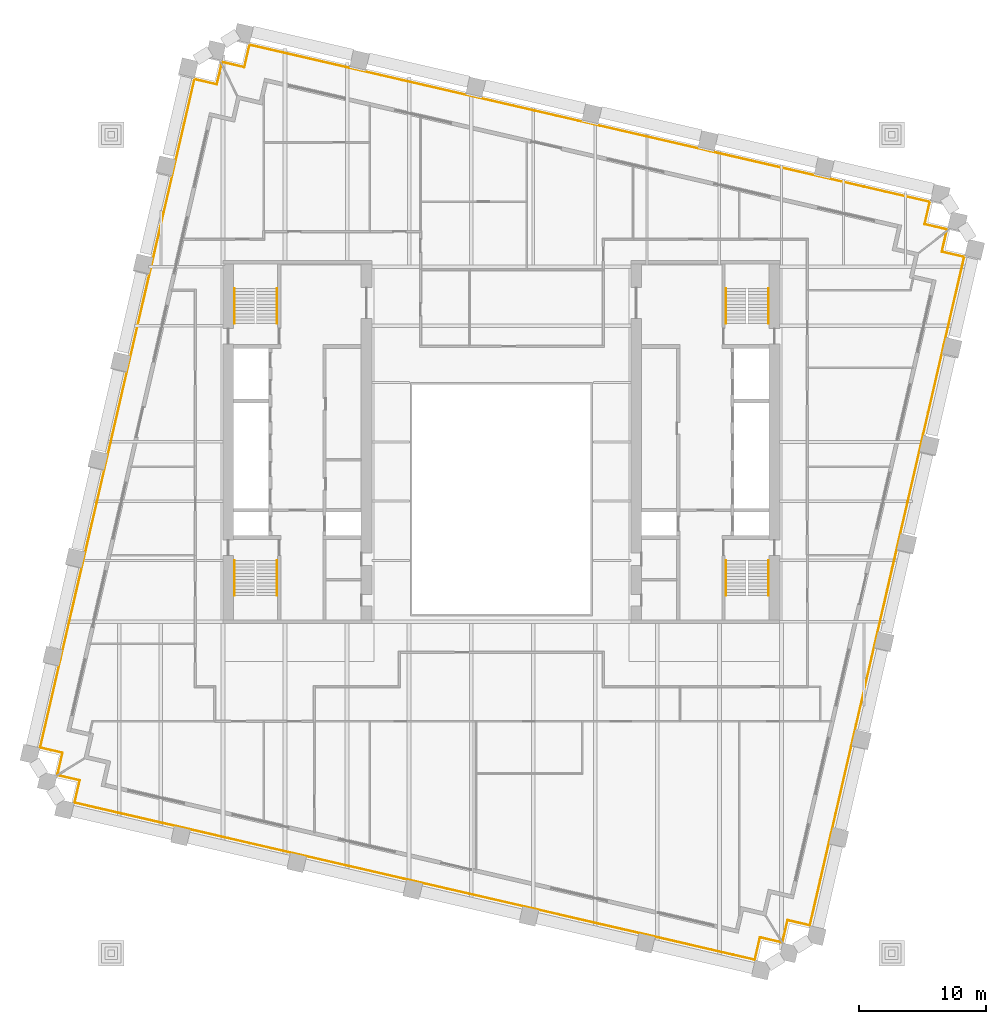
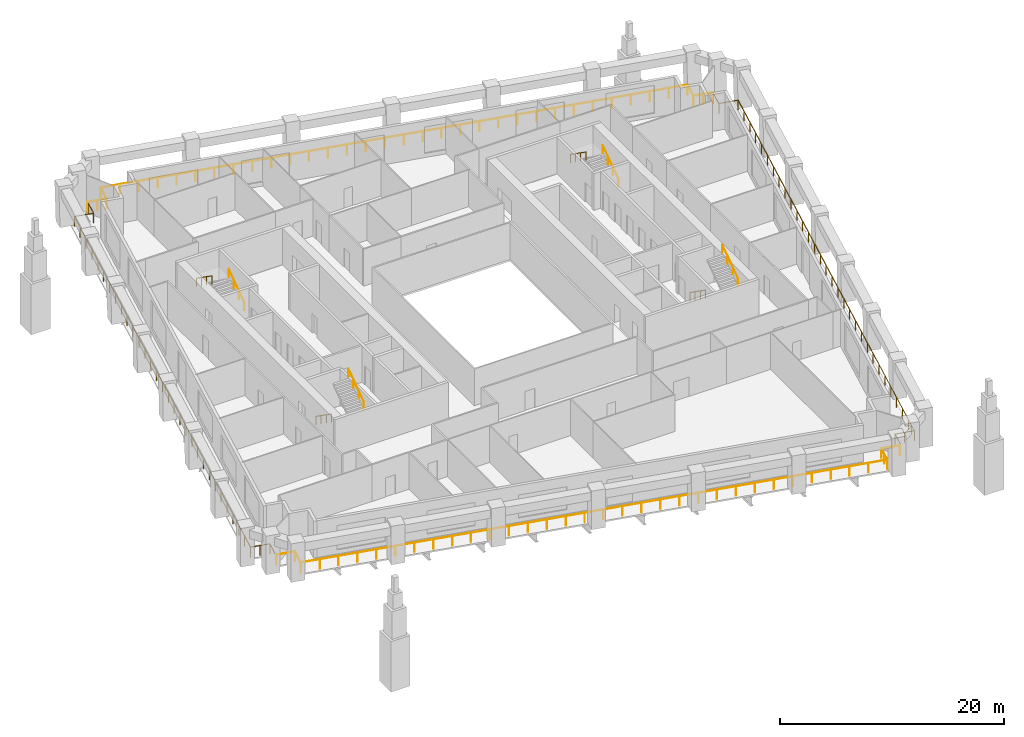
# One storey, part 10 of 10: 12 railings.
"""IFC4 building model written with IfcOpenShell, lengths in metres."""

import ifcopenshell
import ifcopenshell.guid

model = None  # the IFC model being written
_history = None  # IfcOwnerHistory: only IFC2X3 demands one
_inside = {}  # id of a spatial element -> (the spatial element, [elements in it])
_under = {}  # id of a project, library or spatial element -> (it, [spatial elements below it])
_declared = {}  # id of a project -> (the project, [libraries it declares])
_typed = {}  # id of a type object -> (the type object, [elements of that type])
_made_of = {}  # id of a material, layer set ... -> (it, [elements and type objects made of it])


def new_model(schema):
    """Start an empty IFC model of exactly this schema.

    Asked for "IFC4X3", IfcOpenShell would pick the latest addendum, in which some entities
    have other attributes; the version numbers below select the first issue.
    IFC2X3 requires an IfcOwnerHistory on every rooted entity: one is made here for all.
    """
    global model, _history
    if schema == "IFC4X3":
        model = ifcopenshell.file(schema_version=(4, 3, 0, 0))
    else:
        model = ifcopenshell.file(schema=schema)
    _inside.clear()
    _under.clear()
    _declared.clear()
    _typed.clear()
    _made_of.clear()
    _history = None
    if model.schema == "IFC2X3":
        org = make("IfcOrganization", Name="unknown")
        user = make(
            "IfcPersonAndOrganization",
            ThePerson=make("IfcPerson", FamilyName="unknown"),
            TheOrganization=org,
        )
        app = make(
            "IfcApplication",
            ApplicationDeveloper=org,
            Version="unknown",
            ApplicationFullName="unknown",
            ApplicationIdentifier="unknown",
        )
        _history = make(
            "IfcOwnerHistory",
            OwningUser=user,
            OwningApplication=app,
            ChangeAction="ADDED",
            CreationDate=0,
        )
    return model


def make(cls, **values):
    """One entity of the class cls with the attributes given. An attribute that is None is left unset."""
    return model.create_entity(
        cls, **{name: value for name, value in values.items() if value is not None}
    )


def rooted(cls, **values):
    """An entity with a GlobalId (a new one), such as an element, a storey or a relation."""
    return make(cls, GlobalId=ifcopenshell.guid.new(), OwnerHistory=_history, **values)


def si_unit(unit_type, name, prefix=None):
    """IfcSIUnit, for example si_unit("LENGTHUNIT", "METRE", prefix="MILLI")."""
    return make("IfcSIUnit", UnitType=unit_type, Prefix=prefix, Name=name)


def assignment(units):
    """IfcUnitAssignment: the units of a project."""
    return None if units is None else make("IfcUnitAssignment", Units=units)


def point(xyz):
    """IfcCartesianPoint."""
    return None if xyz is None else make("IfcCartesianPoint", Coordinates=xyz)


def direction(xyz):
    """IfcDirection."""
    return None if xyz is None else make("IfcDirection", DirectionRatios=xyz)


def frame(location, z_axis=None, x_axis=None):
    """IfcAxis2Placement3D, a coordinate frame: its origin and axes. An axis left out is left unset."""
    return make(
        "IfcAxis2Placement3D",
        Location=point(location),
        Axis=direction(z_axis),
        RefDirection=direction(x_axis),
    )


def frame_2d(location, x_axis=None):
    """IfcAxis2Placement2D, a coordinate frame in the plane: its origin and x axis."""
    return make(
        "IfcAxis2Placement2D", Location=point(location), RefDirection=direction(x_axis)
    )


def origin():
    """The frame at (0, 0, 0) with its axes left unset."""
    return frame((0.0, 0.0, 0.0))


def origin_2d():
    """The frame at (0, 0) in the plane with its x axis left unset."""
    return frame_2d((0.0, 0.0))


def place(relative_to, where):
    """IfcLocalPlacement: puts the frame where relative to a parent placement (None: the world)."""
    return make(
        "IfcLocalPlacement", PlacementRelTo=relative_to, RelativePlacement=where
    )


def context(
    kind, dimensions, precision=None, world=None, true_north=None, identifier=None
):
    """IfcGeometricRepresentationContext, for example the 3D "Model" context."""
    return make(
        "IfcGeometricRepresentationContext",
        ContextIdentifier=identifier,
        ContextType=kind,
        CoordinateSpaceDimension=dimensions,
        Precision=precision,
        WorldCoordinateSystem=world,
        TrueNorth=true_north,
    )


def subcontext(parent, identifier, kind, view, scale=None):
    """IfcGeometricRepresentationSubContext, for example "Body" below "Model"."""
    return make(
        "IfcGeometricRepresentationSubContext",
        ContextIdentifier=identifier,
        ContextType=kind,
        ParentContext=parent,
        TargetScale=scale,
        TargetView=view,
    )


def project(units=None, contexts=None):
    """IfcProject with its units and contexts."""
    return rooted(
        "IfcProject",
        Name="project",
        RepresentationContexts=contexts,
        UnitsInContext=assignment(units),
    )


def spatial(cls, under=None, at=None, **own):
    """A site, building, storey or space (cls), placed at a placement, below another one or the project."""
    s = rooted(cls, ObjectPlacement=at, **own)
    if under is not None:
        _under.setdefault(under.id(), (under, []))[1].append(s)
    return s


def profile(cls, at=None, kind="AREA", **sizes):
    """A parametric profile (cls). Its sizes go by their IFC names, for example OverallWidth=200.0."""
    return make(cls, ProfileType=kind, Position=at, **sizes)


def circle(**sizes):
    """IfcCircleProfileDef."""
    return profile("IfcCircleProfileDef", **sizes)


def extrude(swept, where, along, depth):
    """IfcExtrudedAreaSolid: the profile swept, set in the frame where, extruded along a direction by depth."""
    return make(
        "IfcExtrudedAreaSolid",
        SweptArea=swept,
        Position=where,
        ExtrudedDirection=direction(along),
        Depth=depth,
    )


def shape(context_of_items, identifier, shape_type, items):
    """IfcShapeRepresentation: the items that make up one representation, for example the "Body"."""
    return make(
        "IfcShapeRepresentation",
        ContextOfItems=context_of_items,
        RepresentationIdentifier=identifier,
        RepresentationType=shape_type,
        Items=items,
    )


def material(Name=None, Category=None):
    """IfcMaterial."""
    return make("IfcMaterial", Name=Name, Category=Category)


def made_of(thing, what):
    """Note that an element or type object is made of a material, layer set ...; save() writes the relation."""
    if what is not None:
        _made_of.setdefault(what.id(), (what, []))[1].append(thing)
    return thing


def type_object(cls, material=None, **own):
    """A type object (cls), such as IfcWallType, which elements share."""
    return made_of(rooted(cls, **own), material)


def element(
    cls,
    number,
    at=None,
    inside=None,
    cuts=None,
    type_object=None,
    material=None,
    context=None,
    identifier="Body",
    shape_type=None,
    held_by="IfcProductDefinitionShape",
    body=None,
    shapes=None,
    **own,
):
    """One element of the class cls, such as IfcWall. Its Tag is "e" and its number.

    at: its placement. inside: the storey or other place that contains it. cuts: it is an
    opening in that element (IfcRelVoidsElement). A single representation is given by context,
    identifier, shape_type and body (its items); several are given by shapes. held_by: the class
    of the entity that holds the representations. save() writes the other relations.
    """
    e = rooted(cls, Tag="e%d" % number, ObjectPlacement=at, **own)
    if body is not None:
        shapes = [shape(context, identifier, shape_type, body)]
    if shapes is not None:
        e.Representation = make(held_by, Representations=shapes)
    if inside is not None:
        _inside.setdefault(inside.id(), (inside, []))[1].append(e)
    if cuts is not None:
        rooted(
            "IfcRelVoidsElement", RelatingBuildingElement=cuts, RelatedOpeningElement=e
        )
    if type_object is not None:
        _typed.setdefault(type_object.id(), (type_object, []))[1].append(e)
    return made_of(e, material)


def aggregate(whole, parts):
    """IfcRelAggregates: a whole, such as a stair, and the parts it consists of."""
    return rooted("IfcRelAggregates", RelatingObject=whole, RelatedObjects=parts)


def save(model, path):
    """Write the relations noted so far, then the file.

    IfcRelAggregates (storeys below a building ...), IfcRelContainedInSpatialStructure (elements
    in a storey), IfcRelDefinesByType, IfcRelAssociatesMaterial and IfcRelDeclares: one each for
    every whole, place, type object, material and project.
    """
    for whole, parts in _under.values():
        aggregate(whole, parts)
    for where, things in _inside.values():
        rooted(
            "IfcRelContainedInSpatialStructure",
            RelatedElements=things,
            RelatingStructure=where,
        )
    for kind, things in _typed.values():
        rooted("IfcRelDefinesByType", RelatedObjects=things, RelatingType=kind)
    for what, things in _made_of.values():
        rooted("IfcRelAssociatesMaterial", RelatedObjects=things, RelatingMaterial=what)
    for by, libraries in _declared.values():
        rooted("IfcRelDeclares", RelatingContext=by, RelatedDefinitions=libraries)
    model.write(path)


model = new_model("IFC4")

# Units and contexts
model_context = context("Model", 3, precision=1e-05, world=origin(), true_north=direction((0.0, 1.0)))
body_context = subcontext(model_context, "Body", "Model", "MODEL_VIEW")
ifc_project = project(units=[si_unit("LENGTHUNIT", "METRE"), si_unit("AREAUNIT", "SQUARE_METRE"), si_unit("VOLUMEUNIT", "CUBIC_METRE"), si_unit("PLANEANGLEUNIT", "RADIAN"), si_unit("MASSUNIT", "GRAM", prefix="KILO")], contexts=[model_context])

# Site, building, storey
site_placement = place(None, origin())
site = spatial("IfcSite", under=ifc_project, at=site_placement, CompositionType="ELEMENT")
building_placement = place(site_placement, origin())
building = spatial("IfcBuilding", under=site, at=building_placement, Name="Ogive Exchange Tower", CompositionType="ELEMENT")
storey_placement = place(building_placement, frame((0.0, 0.0, 105.60009765625)))
storey = spatial("IfcBuildingStorey", under=building, at=storey_placement, Name="L22", CompositionType="ELEMENT", Elevation=105.60009765625)

# Railings
ifc_material_1 = material(Name="Stainless steel 316", Category="steel")
railing_type_1 = type_object("IfcRailingType", Name="Guard 1100 stainless steel and glass", PredefinedType="GUARDRAIL", material=ifc_material_1)
railing_1_placement = place(storey_placement, frame((21.947265625, -27.74462890625, -0.050048828125)))
element("IfcRailing", 1, at=railing_1_placement, inside=storey, type_object=railing_type_1, Name="Loggia guard 1", PredefinedType="GUARDRAIL", context=body_context, shape_type="SweptSolid", body=[
    extrude(circle(Radius=0.02392578125, at=origin_2d()), frame((0.0, 0.0, 1.076171875), z_axis=(-0.974396013545, 0.224838628327, 0.0), x_axis=(-0.224838628327, -0.974396013545, 0.0)), (0.0, 0.0, 1.0), 1.7080078125),
    extrude(circle(Radius=0.02392578125, at=origin_2d()), frame((-1.664306640625, 0.384033203125, 1.076171875), z_axis=(-0.225008086135, -0.974356896201, 0.0), x_axis=(0.974356896201, -0.225008086135, 0.0)), (0.0, 0.0, 1.0), 1.800048828125),
    extrude(circle(Radius=0.02392578125, at=origin_2d()), frame((-2.0693359375, -1.369873046875, 1.076171875), z_axis=(-0.974368873975, 0.224956212247, 0.0), x_axis=(-0.224956212247, -0.974368873975, 0.0)), (0.0, 0.0, 1.0), 54.760009765625),
    extrude(circle(Radius=0.02392578125, at=origin_2d()), frame((-55.42578125, 10.94873046875, 1.076171875), z_axis=(0.22503782496, 0.974350028141, 0.0), x_axis=(-0.974350028141, 0.22503782496, 0.0)), (0.0, 0.0, 1.0), 1.7998046875),
    extrude(circle(Radius=0.02392578125, at=origin_2d()), frame((-55.020751953125, 12.702392578125, 1.076171875), z_axis=(-0.974364690374, 0.224974332206, 0.0), x_axis=(-0.224974332206, -0.974364690374, 0.0)), (0.0, 0.0, 1.0), 1.7080078125),
    extrude(circle(Radius=0.02099609375, at=origin_2d()), origin(), (0.0, 0.0, 1.0), 1.052001953125),
    extrude(circle(Radius=0.02099609375, at=origin_2d()), frame((-1.664306640625, 0.384033203125, 0.0)), (0.0, 0.0, 1.0), 1.052001953125),
    extrude(circle(Radius=0.02099609375, at=origin_2d()), frame((-1.86669921875, -0.492919921875, 0.0)), (0.0, 0.0, 1.0), 1.052001953125),
    extrude(circle(Radius=0.02099609375, at=origin_2d()), frame((-2.0693359375, -1.369873046875, 0.0)), (0.0, 0.0, 1.0), 1.052001953125),
    extrude(circle(Radius=0.02099609375, at=origin_2d()), frame((-3.79052734375, -0.972412109375, 0.0)), (0.0, 0.0, 1.0), 1.052001953125),
    extrude(circle(Radius=0.02099609375, at=origin_2d()), frame((-5.51171875, -0.5751953125, 0.0)), (0.0, 0.0, 1.0), 1.052001953125),
    extrude(circle(Radius=0.02099609375, at=origin_2d()), frame((-7.23291015625, -0.177734375, 0.0)), (0.0, 0.0, 1.0), 1.052001953125),
    extrude(circle(Radius=0.02099609375, at=origin_2d()), frame((-8.9541015625, 0.2197265625, 0.0)), (0.0, 0.0, 1.0), 1.052001953125),
    extrude(circle(Radius=0.02099609375, at=origin_2d()), frame((-10.67529296875, 0.616943359375, 0.0)), (0.0, 0.0, 1.0), 1.052001953125),
    extrude(circle(Radius=0.02099609375, at=origin_2d()), frame((-12.396484375, 1.014404296875, 0.0)), (0.0, 0.0, 1.0), 1.052001953125),
    extrude(circle(Radius=0.02099609375, at=origin_2d()), frame((-14.11767578125, 1.411865234375, 0.0)), (0.0, 0.0, 1.0), 1.052001953125),
    extrude(circle(Radius=0.02099609375, at=origin_2d()), frame((-15.838623046875, 1.80908203125, 0.0)), (0.0, 0.0, 1.0), 1.052001953125),
    extrude(circle(Radius=0.02099609375, at=origin_2d()), frame((-17.559814453125, 2.20654296875, 0.0)), (0.0, 0.0, 1.0), 1.052001953125),
    extrude(circle(Radius=0.02099609375, at=origin_2d()), frame((-19.281005859375, 2.603759765625, 0.0)), (0.0, 0.0, 1.0), 1.052001953125),
    extrude(circle(Radius=0.02099609375, at=origin_2d()), frame((-21.002197265625, 3.001220703125, 0.0)), (0.0, 0.0, 1.0), 1.052001953125),
    extrude(circle(Radius=0.02099609375, at=origin_2d()), frame((-22.723388671875, 3.398681640625, 0.0)), (0.0, 0.0, 1.0), 1.052001953125),
    extrude(circle(Radius=0.02099609375, at=origin_2d()), frame((-24.444580078125, 3.7958984375, 0.0)), (0.0, 0.0, 1.0), 1.052001953125),
    extrude(circle(Radius=0.02099609375, at=origin_2d()), frame((-26.165771484375, 4.193359375, 0.0)), (0.0, 0.0, 1.0), 1.052001953125),
    extrude(circle(Radius=0.02099609375, at=origin_2d()), frame((-27.886962890625, 4.5908203125, 0.0)), (0.0, 0.0, 1.0), 1.052001953125),
    extrude(circle(Radius=0.02099609375, at=origin_2d()), frame((-29.608154296875, 4.988037109375, 0.0)), (0.0, 0.0, 1.0), 1.052001953125),
    extrude(circle(Radius=0.02099609375, at=origin_2d()), frame((-31.329345703125, 5.385498046875, 0.0)), (0.0, 0.0, 1.0), 1.052001953125),
    extrude(circle(Radius=0.02099609375, at=origin_2d()), frame((-33.050537109375, 5.782958984375, 0.0)), (0.0, 0.0, 1.0), 1.052001953125),
    extrude(circle(Radius=0.02099609375, at=origin_2d()), frame((-34.771728515625, 6.18017578125, 0.0)), (0.0, 0.0, 1.0), 1.052001953125),
    extrude(circle(Radius=0.02099609375, at=origin_2d()), frame((-36.492919921875, 6.57763671875, 0.0)), (0.0, 0.0, 1.0), 1.052001953125),
    extrude(circle(Radius=0.02099609375, at=origin_2d()), frame((-38.214111328125, 6.97509765625, 0.0)), (0.0, 0.0, 1.0), 1.052001953125),
    extrude(circle(Radius=0.02099609375, at=origin_2d()), frame((-39.935302734375, 7.372314453125, 0.0)), (0.0, 0.0, 1.0), 1.052001953125),
    extrude(circle(Radius=0.02099609375, at=origin_2d()), frame((-41.656494140625, 7.769775390625, 0.0)), (0.0, 0.0, 1.0), 1.052001953125),
    extrude(circle(Radius=0.02099609375, at=origin_2d()), frame((-43.37744140625, 8.1669921875, 0.0)), (0.0, 0.0, 1.0), 1.052001953125),
    extrude(circle(Radius=0.02099609375, at=origin_2d()), frame((-45.0986328125, 8.564453125, 0.0)), (0.0, 0.0, 1.0), 1.052001953125),
    extrude(circle(Radius=0.02099609375, at=origin_2d()), frame((-46.81982421875, 8.9619140625, 0.0)), (0.0, 0.0, 1.0), 1.052001953125),
    extrude(circle(Radius=0.02099609375, at=origin_2d()), frame((-48.541015625, 9.359130859375, 0.0)), (0.0, 0.0, 1.0), 1.052001953125),
    extrude(circle(Radius=0.02099609375, at=origin_2d()), frame((-50.26220703125, 9.756591796875, 0.0)), (0.0, 0.0, 1.0), 1.052001953125),
    extrude(circle(Radius=0.02099609375, at=origin_2d()), frame((-51.9833984375, 10.154052734375, 0.0)), (0.0, 0.0, 1.0), 1.052001953125),
    extrude(circle(Radius=0.02099609375, at=origin_2d()), frame((-53.70458984375, 10.55126953125, 0.0)), (0.0, 0.0, 1.0), 1.052001953125),
    extrude(circle(Radius=0.02099609375, at=origin_2d()), frame((-55.42578125, 10.94873046875, 0.0)), (0.0, 0.0, 1.0), 1.052001953125),
    extrude(circle(Radius=0.02099609375, at=origin_2d()), frame((-55.020751953125, 12.702392578125, 0.0)), (0.0, 0.0, 1.0), 1.052001953125),
    extrude(circle(Radius=0.02099609375, at=origin_2d()), frame((-56.68505859375, 13.086669921875, 0.0)), (0.0, 0.0, 1.0), 1.052001953125),
])
railing_2_placement = place(storey_placement, frame((-34.806884765625, -14.547607421875, -0.050048828125)))
element("IfcRailing", 2, at=railing_2_placement, inside=storey, type_object=railing_type_1, Name="Loggia guard 2", PredefinedType="GUARDRAIL", context=body_context, shape_type="SweptSolid", body=[
    extrude(circle(Radius=0.02392578125, at=origin_2d()), frame((0.0, 0.0, 1.076171875), z_axis=(0.224974332206, 0.974364690374, 0.0), x_axis=(-0.974364690374, 0.224974332206, 0.0)), (0.0, 0.0, 1.0), 1.7080078125),
    extrude(circle(Radius=0.02392578125, at=origin_2d()), frame((0.38427734375, 1.664306640625, 1.076171875), z_axis=(-0.974386623598, 0.224879318197, 0.0), x_axis=(-0.224879318197, -0.974386623598, 0.0)), (0.0, 0.0, 1.0), 1.800048828125),
    extrude(circle(Radius=0.02392578125, at=origin_2d()), frame((-1.36962890625, 2.069091796875, 1.076171875), z_axis=(0.224953619693, 0.974369472524, 0.0), x_axis=(-0.974369472524, 0.224953619693, 0.0)), (0.0, 0.0, 1.0), 53.8056640625),
    extrude(circle(Radius=0.02392578125, at=origin_2d()), frame((10.734130859375, 54.49560546875, 1.076171875), z_axis=(0.974350028141, -0.22503782496, 0.0), x_axis=(0.22503782496, 0.974350028141, 0.0)), (0.0, 0.0, 1.0), 1.7998046875),
    extrude(circle(Radius=0.02392578125, at=origin_2d()), frame((12.48779296875, 54.090576171875, 1.076171875), z_axis=(0.225021075046, 0.974353896582, 0.0), x_axis=(-0.974353896582, 0.225021075046, 0.0)), (0.0, 0.0, 1.0), 1.544921875),
    extrude(circle(Radius=0.02099609375, at=origin_2d()), origin(), (0.0, 0.0, 1.0), 1.052001953125),
    extrude(circle(Radius=0.02099609375, at=origin_2d()), frame((0.38427734375, 1.664306640625, 0.0)), (0.0, 0.0, 1.0), 1.052001953125),
    extrude(circle(Radius=0.02099609375, at=origin_2d()), frame((-0.49267578125, 1.86669921875, 0.0)), (0.0, 0.0, 1.0), 1.052001953125),
    extrude(circle(Radius=0.02099609375, at=origin_2d()), frame((-1.36962890625, 2.069091796875, 0.0)), (0.0, 0.0, 1.0), 1.052001953125),
    extrude(circle(Radius=0.02099609375, at=origin_2d()), frame((-0.966064453125, 3.816650390625, 0.0)), (0.0, 0.0, 1.0), 1.052001953125),
    extrude(circle(Radius=0.02099609375, at=origin_2d()), frame((-0.562744140625, 5.564208984375, 0.0)), (0.0, 0.0, 1.0), 1.052001953125),
    extrude(circle(Radius=0.02099609375, at=origin_2d()), frame((-0.1591796875, 7.311767578125, 0.0)), (0.0, 0.0, 1.0), 1.052001953125),
    extrude(circle(Radius=0.02099609375, at=origin_2d()), frame((0.244140625, 9.059326171875, 0.0)), (0.0, 0.0, 1.0), 1.052001953125),
    extrude(circle(Radius=0.02099609375, at=origin_2d()), frame((0.647705078125, 10.806884765625, 0.0)), (0.0, 0.0, 1.0), 1.052001953125),
    extrude(circle(Radius=0.02099609375, at=origin_2d()), frame((1.051025390625, 12.554443359375, 0.0)), (0.0, 0.0, 1.0), 1.052001953125),
    extrude(circle(Radius=0.02099609375, at=origin_2d()), frame((1.45458984375, 14.302001953125, 0.0)), (0.0, 0.0, 1.0), 1.052001953125),
    extrude(circle(Radius=0.02099609375, at=origin_2d()), frame((1.858154296875, 16.049560546875, 0.0)), (0.0, 0.0, 1.0), 1.052001953125),
    extrude(circle(Radius=0.02099609375, at=origin_2d()), frame((2.261474609375, 17.797119140625, 0.0)), (0.0, 0.0, 1.0), 1.052001953125),
    extrude(circle(Radius=0.02099609375, at=origin_2d()), frame((2.6650390625, 19.544677734375, 0.0)), (0.0, 0.0, 1.0), 1.052001953125),
    extrude(circle(Radius=0.02099609375, at=origin_2d()), frame((3.068359375, 21.292236328125, 0.0)), (0.0, 0.0, 1.0), 1.052001953125),
    extrude(circle(Radius=0.02099609375, at=origin_2d()), frame((3.471923828125, 23.039794921875, 0.0)), (0.0, 0.0, 1.0), 1.052001953125),
    extrude(circle(Radius=0.02099609375, at=origin_2d()), frame((3.875244140625, 24.787353515625, 0.0)), (0.0, 0.0, 1.0), 1.052001953125),
    extrude(circle(Radius=0.02099609375, at=origin_2d()), frame((4.27880859375, 26.534912109375, 0.0)), (0.0, 0.0, 1.0), 1.052001953125),
    extrude(circle(Radius=0.02099609375, at=origin_2d()), frame((4.68212890625, 28.2822265625, 0.0)), (0.0, 0.0, 1.0), 1.052001953125),
    extrude(circle(Radius=0.02099609375, at=origin_2d()), frame((5.085693359375, 30.02978515625, 0.0)), (0.0, 0.0, 1.0), 1.052001953125),
    extrude(circle(Radius=0.02099609375, at=origin_2d()), frame((5.4892578125, 31.77734375, 0.0)), (0.0, 0.0, 1.0), 1.052001953125),
    extrude(circle(Radius=0.02099609375, at=origin_2d()), frame((5.892578125, 33.52490234375, 0.0)), (0.0, 0.0, 1.0), 1.052001953125),
    extrude(circle(Radius=0.02099609375, at=origin_2d()), frame((6.296142578125, 35.2724609375, 0.0)), (0.0, 0.0, 1.0), 1.052001953125),
    extrude(circle(Radius=0.02099609375, at=origin_2d()), frame((6.699462890625, 37.02001953125, 0.0)), (0.0, 0.0, 1.0), 1.052001953125),
    extrude(circle(Radius=0.02099609375, at=origin_2d()), frame((7.10302734375, 38.767578125, 0.0)), (0.0, 0.0, 1.0), 1.052001953125),
    extrude(circle(Radius=0.02099609375, at=origin_2d()), frame((7.50634765625, 40.51513671875, 0.0)), (0.0, 0.0, 1.0), 1.052001953125),
    extrude(circle(Radius=0.02099609375, at=origin_2d()), frame((7.909912109375, 42.2626953125, 0.0)), (0.0, 0.0, 1.0), 1.052001953125),
    extrude(circle(Radius=0.02099609375, at=origin_2d()), frame((8.3134765625, 44.01025390625, 0.0)), (0.0, 0.0, 1.0), 1.052001953125),
    extrude(circle(Radius=0.02099609375, at=origin_2d()), frame((8.716796875, 45.7578125, 0.0)), (0.0, 0.0, 1.0), 1.052001953125),
    extrude(circle(Radius=0.02099609375, at=origin_2d()), frame((9.120361328125, 47.50537109375, 0.0)), (0.0, 0.0, 1.0), 1.052001953125),
    extrude(circle(Radius=0.02099609375, at=origin_2d()), frame((9.523681640625, 49.2529296875, 0.0)), (0.0, 0.0, 1.0), 1.052001953125),
    extrude(circle(Radius=0.02099609375, at=origin_2d()), frame((9.92724609375, 51.00048828125, 0.0)), (0.0, 0.0, 1.0), 1.052001953125),
    extrude(circle(Radius=0.02099609375, at=origin_2d()), frame((10.33056640625, 52.748046875, 0.0)), (0.0, 0.0, 1.0), 1.052001953125),
    extrude(circle(Radius=0.02099609375, at=origin_2d()), frame((10.734130859375, 54.49560546875, 0.0)), (0.0, 0.0, 1.0), 1.052001953125),
    extrude(circle(Radius=0.02099609375, at=origin_2d()), frame((12.48779296875, 54.090576171875, 0.0)), (0.0, 0.0, 1.0), 1.052001953125),
    extrude(circle(Radius=0.02099609375, at=origin_2d()), frame((12.83544921875, 55.595947265625, 0.0)), (0.0, 0.0, 1.0), 1.052001953125),
])
railing_3_placement = place(storey_placement, frame((-21.92529296875, 41.248779296875, -0.050048828125)))
element("IfcRailing", 3, at=railing_3_placement, inside=storey, type_object=railing_type_1, Name="Loggia guard 3", PredefinedType="GUARDRAIL", context=body_context, shape_type="SweptSolid", body=[
    extrude(circle(Radius=0.02392578125, at=origin_2d()), frame((0.0, 0.0, 1.076171875), z_axis=(0.227385877315, 0.973804735457, 0.0), x_axis=(-0.973804735457, 0.227385877315, 0.0)), (0.0, 0.0, 1.0), 0.04931640625),
    extrude(circle(Radius=0.02392578125, at=origin_2d()), frame((0.01123046875, 0.048095703125, 1.076171875), z_axis=(0.974386623598, -0.224879318197, 0.0), x_axis=(0.224879318197, 0.974386623598, 0.0)), (0.0, 0.0, 1.0), 1.800048828125),
    extrude(circle(Radius=0.02392578125, at=origin_2d()), frame((1.76513671875, -0.356689453125, 1.076171875), z_axis=(0.224909041816, 0.974379763188, 0.0), x_axis=(-0.974379763188, 0.224909041816, 0.0)), (0.0, 0.0, 1.0), 1.7998046875),
    extrude(circle(Radius=0.02392578125, at=origin_2d()), frame((2.169921875, 1.39697265625, 1.076171875), z_axis=(0.974370076807, -0.224951002271, 0.0), x_axis=(0.224951002271, 0.974370076807, 0.0)), (0.0, 0.0, 1.0), 54.76025390625),
    extrude(circle(Radius=0.02392578125, at=origin_2d()), frame((55.526611328125, -10.92138671875, 1.076171875), z_axis=(-0.22503782496, -0.974350028141, 0.0), x_axis=(0.974350028141, -0.22503782496, 0.0)), (0.0, 0.0, 1.0), 1.7998046875),
    extrude(circle(Radius=0.02392578125, at=origin_2d()), frame((55.12158203125, -12.675048828125, 1.076171875), z_axis=(0.974356896201, -0.225008086135, 0.0), x_axis=(0.225008086135, 0.974356896201, 0.0)), (0.0, 0.0, 1.0), 1.800048828125),
    extrude(circle(Radius=0.02392578125, at=origin_2d()), frame((56.87548828125, -13.080078125, 1.076171875), z_axis=(-0.222690428814, -0.974889210585, 0.0), x_axis=(0.974889210585, -0.222690428814, 0.0)), (0.0, 0.0, 1.0), 0.04931640625),
    extrude(circle(Radius=0.02099609375, at=origin_2d()), origin(), (0.0, 0.0, 1.0), 1.052001953125),
    extrude(circle(Radius=0.02099609375, at=origin_2d()), frame((0.01123046875, 0.048095703125, 0.0)), (0.0, 0.0, 1.0), 1.052001953125),
    extrude(circle(Radius=0.02099609375, at=origin_2d()), frame((0.88818359375, -0.154296875, 0.0)), (0.0, 0.0, 1.0), 1.052001953125),
    extrude(circle(Radius=0.02099609375, at=origin_2d()), frame((1.76513671875, -0.356689453125, 0.0)), (0.0, 0.0, 1.0), 1.052001953125),
    extrude(circle(Radius=0.02099609375, at=origin_2d()), frame((2.169921875, 1.39697265625, 0.0)), (0.0, 0.0, 1.0), 1.052001953125),
    extrude(circle(Radius=0.02099609375, at=origin_2d()), frame((3.89111328125, 0.99951171875, 0.0)), (0.0, 0.0, 1.0), 1.052001953125),
    extrude(circle(Radius=0.02099609375, at=origin_2d()), frame((5.6123046875, 0.602294921875, 0.0)), (0.0, 0.0, 1.0), 1.052001953125),
    extrude(circle(Radius=0.02099609375, at=origin_2d()), frame((7.33349609375, 0.204833984375, 0.0)), (0.0, 0.0, 1.0), 1.052001953125),
    extrude(circle(Radius=0.02099609375, at=origin_2d()), frame((9.0546875, -0.1923828125, 0.0)), (0.0, 0.0, 1.0), 1.052001953125),
    extrude(circle(Radius=0.02099609375, at=origin_2d()), frame((10.77587890625, -0.58984375, 0.0)), (0.0, 0.0, 1.0), 1.052001953125),
    extrude(circle(Radius=0.02099609375, at=origin_2d()), frame((12.4970703125, -0.9873046875, 0.0)), (0.0, 0.0, 1.0), 1.052001953125),
    extrude(circle(Radius=0.02099609375, at=origin_2d()), frame((14.21826171875, -1.384521484375, 0.0)), (0.0, 0.0, 1.0), 1.052001953125),
    extrude(circle(Radius=0.02099609375, at=origin_2d()), frame((15.939453125, -1.781982421875, 0.0)), (0.0, 0.0, 1.0), 1.052001953125),
    extrude(circle(Radius=0.02099609375, at=origin_2d()), frame((17.66064453125, -2.179443359375, 0.0)), (0.0, 0.0, 1.0), 1.052001953125),
    extrude(circle(Radius=0.02099609375, at=origin_2d()), frame((19.3818359375, -2.57666015625, 0.0)), (0.0, 0.0, 1.0), 1.052001953125),
    extrude(circle(Radius=0.02099609375, at=origin_2d()), frame((21.10302734375, -2.97412109375, 0.0)), (0.0, 0.0, 1.0), 1.052001953125),
    extrude(circle(Radius=0.02099609375, at=origin_2d()), frame((22.82421875, -3.371337890625, 0.0)), (0.0, 0.0, 1.0), 1.052001953125),
    extrude(circle(Radius=0.02099609375, at=origin_2d()), frame((24.54541015625, -3.768798828125, 0.0)), (0.0, 0.0, 1.0), 1.052001953125),
    extrude(circle(Radius=0.02099609375, at=origin_2d()), frame((26.2666015625, -4.166259765625, 0.0)), (0.0, 0.0, 1.0), 1.052001953125),
    extrude(circle(Radius=0.02099609375, at=origin_2d()), frame((27.98779296875, -4.5634765625, 0.0)), (0.0, 0.0, 1.0), 1.052001953125),
    extrude(circle(Radius=0.02099609375, at=origin_2d()), frame((29.708740234375, -4.9609375, 0.0)), (0.0, 0.0, 1.0), 1.052001953125),
    extrude(circle(Radius=0.02099609375, at=origin_2d()), frame((31.429931640625, -5.358154296875, 0.0)), (0.0, 0.0, 1.0), 1.052001953125),
    extrude(circle(Radius=0.02099609375, at=origin_2d()), frame((33.151123046875, -5.755615234375, 0.0)), (0.0, 0.0, 1.0), 1.052001953125),
    extrude(circle(Radius=0.02099609375, at=origin_2d()), frame((34.872314453125, -6.153076171875, 0.0)), (0.0, 0.0, 1.0), 1.052001953125),
    extrude(circle(Radius=0.02099609375, at=origin_2d()), frame((36.593505859375, -6.55029296875, 0.0)), (0.0, 0.0, 1.0), 1.052001953125),
    extrude(circle(Radius=0.02099609375, at=origin_2d()), frame((38.314697265625, -6.94775390625, 0.0)), (0.0, 0.0, 1.0), 1.052001953125),
    extrude(circle(Radius=0.02099609375, at=origin_2d()), frame((40.035888671875, -7.344970703125, 0.0)), (0.0, 0.0, 1.0), 1.052001953125),
    extrude(circle(Radius=0.02099609375, at=origin_2d()), frame((41.757080078125, -7.742431640625, 0.0)), (0.0, 0.0, 1.0), 1.052001953125),
    extrude(circle(Radius=0.02099609375, at=origin_2d()), frame((43.478271484375, -8.139892578125, 0.0)), (0.0, 0.0, 1.0), 1.052001953125),
    extrude(circle(Radius=0.02099609375, at=origin_2d()), frame((45.199462890625, -8.537109375, 0.0)), (0.0, 0.0, 1.0), 1.052001953125),
    extrude(circle(Radius=0.02099609375, at=origin_2d()), frame((46.920654296875, -8.9345703125, 0.0)), (0.0, 0.0, 1.0), 1.052001953125),
    extrude(circle(Radius=0.02099609375, at=origin_2d()), frame((48.641845703125, -9.33203125, 0.0)), (0.0, 0.0, 1.0), 1.052001953125),
    extrude(circle(Radius=0.02099609375, at=origin_2d()), frame((50.363037109375, -9.729248046875, 0.0)), (0.0, 0.0, 1.0), 1.052001953125),
    extrude(circle(Radius=0.02099609375, at=origin_2d()), frame((52.084228515625, -10.126708984375, 0.0)), (0.0, 0.0, 1.0), 1.052001953125),
    extrude(circle(Radius=0.02099609375, at=origin_2d()), frame((53.805419921875, -10.52392578125, 0.0)), (0.0, 0.0, 1.0), 1.052001953125),
    extrude(circle(Radius=0.02099609375, at=origin_2d()), frame((55.526611328125, -10.92138671875, 0.0)), (0.0, 0.0, 1.0), 1.052001953125),
    extrude(circle(Radius=0.02099609375, at=origin_2d()), frame((55.12158203125, -12.675048828125, 0.0)), (0.0, 0.0, 1.0), 1.052001953125),
    extrude(circle(Radius=0.02099609375, at=origin_2d()), frame((55.99853515625, -12.87744140625, 0.0)), (0.0, 0.0, 1.0), 1.052001953125),
    extrude(circle(Radius=0.02099609375, at=origin_2d()), frame((56.87548828125, -13.080078125, 0.0)), (0.0, 0.0, 1.0), 1.052001953125),
    extrude(circle(Radius=0.02099609375, at=origin_2d()), frame((56.864501953125, -13.128173828125, 0.0)), (0.0, 0.0, 1.0), 1.052001953125),
])
railing_4_placement = place(storey_placement, frame((34.892822265625, 27.920166015625, -0.050048828125)))
element("IfcRailing", 4, at=railing_4_placement, inside=storey, type_object=railing_type_1, Name="Loggia guard 4", PredefinedType="GUARDRAIL", context=body_context, shape_type="SweptSolid", body=[
    extrude(circle(Radius=0.02392578125, at=origin_2d()), frame((0.0, 0.0, 1.076171875), z_axis=(-0.22487104791, -0.974388532266, 0.0), x_axis=(0.974388532266, -0.22487104791, 0.0)), (0.0, 0.0, 1.0), 1.544921875),
    extrude(circle(Radius=0.02392578125, at=origin_2d()), frame((-0.347412109375, -1.50537109375, 1.076171875), z_axis=(0.974379763188, -0.224909041816, 0.0), x_axis=(0.224909041816, 0.974379763188, 0.0)), (0.0, 0.0, 1.0), 1.7998046875),
    extrude(circle(Radius=0.02392578125, at=origin_2d()), frame((1.40625, -1.91015625, 1.076171875), z_axis=(-0.224949311842, -0.974370467072, 0.0), x_axis=(0.974370467072, -0.224949311842, 0.0)), (0.0, 0.0, 1.0), 53.805419921875),
    extrude(circle(Radius=0.02392578125, at=origin_2d()), frame((-10.697265625, -54.336669921875, 1.076171875), z_axis=(-0.974356896201, 0.225008086135, 0.0), x_axis=(-0.225008086135, -0.974356896201, 0.0)), (0.0, 0.0, 1.0), 1.800048828125),
    extrude(circle(Radius=0.02392578125, at=origin_2d()), frame((-12.451171875, -53.931640625, 1.076171875), z_axis=(-0.224974332206, -0.974364690374, 0.0), x_axis=(0.974364690374, -0.224974332206, 0.0)), (0.0, 0.0, 1.0), 1.7080078125),
    extrude(circle(Radius=0.02099609375, at=origin_2d()), origin(), (0.0, 0.0, 1.0), 1.052001953125),
    extrude(circle(Radius=0.02099609375, at=origin_2d()), frame((-0.347412109375, -1.50537109375, 0.0)), (0.0, 0.0, 1.0), 1.052001953125),
    extrude(circle(Radius=0.02099609375, at=origin_2d()), frame((1.40625, -1.91015625, 0.0)), (0.0, 0.0, 1.0), 1.052001953125),
    extrude(circle(Radius=0.02099609375, at=origin_2d()), frame((1.002685546875, -3.65771484375, 0.0)), (0.0, 0.0, 1.0), 1.052001953125),
    extrude(circle(Radius=0.02099609375, at=origin_2d()), frame((0.599365234375, -5.4052734375, 0.0)), (0.0, 0.0, 1.0), 1.052001953125),
    extrude(circle(Radius=0.02099609375, at=origin_2d()), frame((0.19580078125, -7.15283203125, 0.0)), (0.0, 0.0, 1.0), 1.052001953125),
    extrude(circle(Radius=0.02099609375, at=origin_2d()), frame((-0.20751953125, -8.900390625, 0.0)), (0.0, 0.0, 1.0), 1.052001953125),
    extrude(circle(Radius=0.02099609375, at=origin_2d()), frame((-0.611083984375, -10.64794921875, 0.0)), (0.0, 0.0, 1.0), 1.052001953125),
    extrude(circle(Radius=0.02099609375, at=origin_2d()), frame((-1.014404296875, -12.3955078125, 0.0)), (0.0, 0.0, 1.0), 1.052001953125),
    extrude(circle(Radius=0.02099609375, at=origin_2d()), frame((-1.41796875, -14.14306640625, 0.0)), (0.0, 0.0, 1.0), 1.052001953125),
    extrude(circle(Radius=0.02099609375, at=origin_2d()), frame((-1.8212890625, -15.890625, 0.0)), (0.0, 0.0, 1.0), 1.052001953125),
    extrude(circle(Radius=0.02099609375, at=origin_2d()), frame((-2.224853515625, -17.63818359375, 0.0)), (0.0, 0.0, 1.0), 1.052001953125),
    extrude(circle(Radius=0.02099609375, at=origin_2d()), frame((-2.628173828125, -19.3857421875, 0.0)), (0.0, 0.0, 1.0), 1.052001953125),
    extrude(circle(Radius=0.02099609375, at=origin_2d()), frame((-3.03173828125, -21.13330078125, 0.0)), (0.0, 0.0, 1.0), 1.052001953125),
    extrude(circle(Radius=0.02099609375, at=origin_2d()), frame((-3.43505859375, -22.880859375, 0.0)), (0.0, 0.0, 1.0), 1.052001953125),
    extrude(circle(Radius=0.02099609375, at=origin_2d()), frame((-3.838623046875, -24.62841796875, 0.0)), (0.0, 0.0, 1.0), 1.052001953125),
    extrude(circle(Radius=0.02099609375, at=origin_2d()), frame((-4.241943359375, -26.3759765625, 0.0)), (0.0, 0.0, 1.0), 1.052001953125),
    extrude(circle(Radius=0.02099609375, at=origin_2d()), frame((-4.6455078125, -28.12353515625, 0.0)), (0.0, 0.0, 1.0), 1.052001953125),
    extrude(circle(Radius=0.02099609375, at=origin_2d()), frame((-5.049072265625, -29.870849609375, 0.0)), (0.0, 0.0, 1.0), 1.052001953125),
    extrude(circle(Radius=0.02099609375, at=origin_2d()), frame((-5.452392578125, -31.618408203125, 0.0)), (0.0, 0.0, 1.0), 1.052001953125),
    extrude(circle(Radius=0.02099609375, at=origin_2d()), frame((-5.85595703125, -33.365966796875, 0.0)), (0.0, 0.0, 1.0), 1.052001953125),
    extrude(circle(Radius=0.02099609375, at=origin_2d()), frame((-6.25927734375, -35.113525390625, 0.0)), (0.0, 0.0, 1.0), 1.052001953125),
    extrude(circle(Radius=0.02099609375, at=origin_2d()), frame((-6.662841796875, -36.861083984375, 0.0)), (0.0, 0.0, 1.0), 1.052001953125),
    extrude(circle(Radius=0.02099609375, at=origin_2d()), frame((-7.066162109375, -38.608642578125, 0.0)), (0.0, 0.0, 1.0), 1.052001953125),
    extrude(circle(Radius=0.02099609375, at=origin_2d()), frame((-7.4697265625, -40.356201171875, 0.0)), (0.0, 0.0, 1.0), 1.052001953125),
    extrude(circle(Radius=0.02099609375, at=origin_2d()), frame((-7.873046875, -42.103759765625, 0.0)), (0.0, 0.0, 1.0), 1.052001953125),
    extrude(circle(Radius=0.02099609375, at=origin_2d()), frame((-8.276611328125, -43.851318359375, 0.0)), (0.0, 0.0, 1.0), 1.052001953125),
    extrude(circle(Radius=0.02099609375, at=origin_2d()), frame((-8.679931640625, -45.598876953125, 0.0)), (0.0, 0.0, 1.0), 1.052001953125),
    extrude(circle(Radius=0.02099609375, at=origin_2d()), frame((-9.08349609375, -47.346435546875, 0.0)), (0.0, 0.0, 1.0), 1.052001953125),
    extrude(circle(Radius=0.02099609375, at=origin_2d()), frame((-9.48681640625, -49.093994140625, 0.0)), (0.0, 0.0, 1.0), 1.052001953125),
    extrude(circle(Radius=0.02099609375, at=origin_2d()), frame((-9.890380859375, -50.841552734375, 0.0)), (0.0, 0.0, 1.0), 1.052001953125),
    extrude(circle(Radius=0.02099609375, at=origin_2d()), frame((-10.293701171875, -52.589111328125, 0.0)), (0.0, 0.0, 1.0), 1.052001953125),
    extrude(circle(Radius=0.02099609375, at=origin_2d()), frame((-10.697265625, -54.336669921875, 0.0)), (0.0, 0.0, 1.0), 1.052001953125),
    extrude(circle(Radius=0.02099609375, at=origin_2d()), frame((-11.57421875, -54.13427734375, 0.0)), (0.0, 0.0, 1.0), 1.052001953125),
    extrude(circle(Radius=0.02099609375, at=origin_2d()), frame((-12.451171875, -53.931640625, 0.0)), (0.0, 0.0, 1.0), 1.052001953125),
    extrude(circle(Radius=0.02099609375, at=origin_2d()), frame((-12.83544921875, -55.595947265625, 0.0)), (0.0, 0.0, 1.0), 1.052001953125),
])
ifc_material_2 = material(Name="Stainless steel", Category="steel")
railing_type_2 = type_object("IfcRailingType", Name="Stair handrail 900", PredefinedType="HANDRAIL", material=ifc_material_2)
railing_5_placement = place(storey_placement, frame((-20.949951171875, 2.199951171875, 0.1748046875)))
element("IfcRailing", 5, at=railing_5_placement, inside=storey, type_object=railing_type_2, Name="L22 ST1 stair handrail 1", PredefinedType="HANDRAIL", context=body_context, shape_type="SweptSolid", body=[
    extrude(circle(Radius=0.02392578125, at=origin_2d()), frame((0.0, 0.0, 0.8759765625), z_axis=(0.0, -0.819225086817, 0.573472106672), x_axis=(1.0, 0.0, 0.0)), (0.0, 0.0, 1.0), 3.35693359375),
    extrude(circle(Radius=0.02099609375, at=origin_2d()), origin(), (0.0, 0.0, 1.0), 0.851806640625),
    extrude(circle(Radius=0.02099609375, at=origin_2d()), frame((0.0, -0.916748046875, 0.6416015625)), (0.0, 0.0, 1.0), 0.851806640625),
    extrude(circle(Radius=0.02099609375, at=origin_2d()), frame((0.0, -1.833251953125, 1.283447265625)), (0.0, 0.0, 1.0), 0.851806640625),
    extrude(circle(Radius=0.02099609375, at=origin_2d()), frame((0.0, -2.75, 1.925048828125)), (0.0, 0.0, 1.0), 0.851806640625),
])
for number, where, name in (
    (6, (-17.60009765625, -0.550048828125, 2.27490234375), "L22 ST1 stair handrail 2"),
    (7, (-17.60009765625, 20.800048828125, 0.1748046875), "L22 ST2 stair handrail 1"),
):
    element("IfcRailing", number, at=place(storey_placement, frame(where)), inside=storey, type_object=railing_type_2, Name=name, PredefinedType="HANDRAIL", context=body_context, shape_type="SweptSolid", body=[
        extrude(circle(Radius=0.02392578125, at=origin_2d()), frame((0.0, 0.0, 0.8759765625), z_axis=(0.0, 0.819225086817, 0.573472106672), x_axis=(-1.0, 0.0, 0.0)), (0.0, 0.0, 1.0), 3.35693359375),
        extrude(circle(Radius=0.02099609375, at=origin_2d()), origin(), (0.0, 0.0, 1.0), 0.851806640625),
        extrude(circle(Radius=0.02099609375, at=origin_2d()), frame((0.0, 0.916748046875, 0.6416015625)), (0.0, 0.0, 1.0), 0.851806640625),
        extrude(circle(Radius=0.02099609375, at=origin_2d()), frame((0.0, 1.833251953125, 1.283447265625)), (0.0, 0.0, 1.0), 0.851806640625),
        extrude(circle(Radius=0.02099609375, at=origin_2d()), frame((0.0, 2.75, 1.925048828125)), (0.0, 0.0, 1.0), 0.851806640625),
    ])
for number, where, name in (
    (8, (-20.949951171875, 23.550048828125, 2.27490234375), "L22 ST2 stair handrail 2"),
    (9, (17.60009765625, 2.199951171875, 0.1748046875), "L22 ST3 stair handrail 1"),
):
    element("IfcRailing", number, at=place(storey_placement, frame(where)), inside=storey, type_object=railing_type_2, Name=name, PredefinedType="HANDRAIL", context=body_context, shape_type="SweptSolid", body=[
        extrude(circle(Radius=0.02392578125, at=origin_2d()), frame((0.0, 0.0, 0.8759765625), z_axis=(0.0, -0.819225086817, 0.573472106672), x_axis=(1.0, 0.0, 0.0)), (0.0, 0.0, 1.0), 3.35693359375),
        extrude(circle(Radius=0.02099609375, at=origin_2d()), origin(), (0.0, 0.0, 1.0), 0.851806640625),
        extrude(circle(Radius=0.02099609375, at=origin_2d()), frame((0.0, -0.916748046875, 0.6416015625)), (0.0, 0.0, 1.0), 0.851806640625),
        extrude(circle(Radius=0.02099609375, at=origin_2d()), frame((0.0, -1.833251953125, 1.283447265625)), (0.0, 0.0, 1.0), 0.851806640625),
        extrude(circle(Radius=0.02099609375, at=origin_2d()), frame((0.0, -2.75, 1.925048828125)), (0.0, 0.0, 1.0), 0.851806640625),
    ])
for number, where, name in (
    (10, (20.949951171875, -0.550048828125, 2.27490234375), "L22 ST3 stair handrail 2"),
    (11, (20.949951171875, 20.800048828125, 0.1748046875), "L22 ST4 stair handrail 1"),
):
    element("IfcRailing", number, at=place(storey_placement, frame(where)), inside=storey, type_object=railing_type_2, Name=name, PredefinedType="HANDRAIL", context=body_context, shape_type="SweptSolid", body=[
        extrude(circle(Radius=0.02392578125, at=origin_2d()), frame((0.0, 0.0, 0.8759765625), z_axis=(0.0, 0.819225086817, 0.573472106672), x_axis=(-1.0, 0.0, 0.0)), (0.0, 0.0, 1.0), 3.35693359375),
        extrude(circle(Radius=0.02099609375, at=origin_2d()), origin(), (0.0, 0.0, 1.0), 0.851806640625),
        extrude(circle(Radius=0.02099609375, at=origin_2d()), frame((0.0, 0.916748046875, 0.6416015625)), (0.0, 0.0, 1.0), 0.851806640625),
        extrude(circle(Radius=0.02099609375, at=origin_2d()), frame((0.0, 1.833251953125, 1.283447265625)), (0.0, 0.0, 1.0), 0.851806640625),
        extrude(circle(Radius=0.02099609375, at=origin_2d()), frame((0.0, 2.75, 1.925048828125)), (0.0, 0.0, 1.0), 0.851806640625),
    ])
railing_6_placement = place(storey_placement, frame((17.60009765625, 23.550048828125, 2.27490234375)))
element("IfcRailing", 12, at=railing_6_placement, inside=storey, type_object=railing_type_2, Name="L22 ST4 stair handrail 2", PredefinedType="HANDRAIL", context=body_context, shape_type="SweptSolid", body=[
    extrude(circle(Radius=0.02392578125, at=origin_2d()), frame((0.0, 0.0, 0.8759765625), z_axis=(0.0, -0.819225086817, 0.573472106672), x_axis=(1.0, 0.0, 0.0)), (0.0, 0.0, 1.0), 3.35693359375),
    extrude(circle(Radius=0.02099609375, at=origin_2d()), origin(), (0.0, 0.0, 1.0), 0.851806640625),
    extrude(circle(Radius=0.02099609375, at=origin_2d()), frame((0.0, -0.916748046875, 0.6416015625)), (0.0, 0.0, 1.0), 0.851806640625),
    extrude(circle(Radius=0.02099609375, at=origin_2d()), frame((0.0, -1.833251953125, 1.283447265625)), (0.0, 0.0, 1.0), 0.851806640625),
    extrude(circle(Radius=0.02099609375, at=origin_2d()), frame((0.0, -2.75, 1.925048828125)), (0.0, 0.0, 1.0), 0.851806640625),
])

save(model, "model.ifc")
